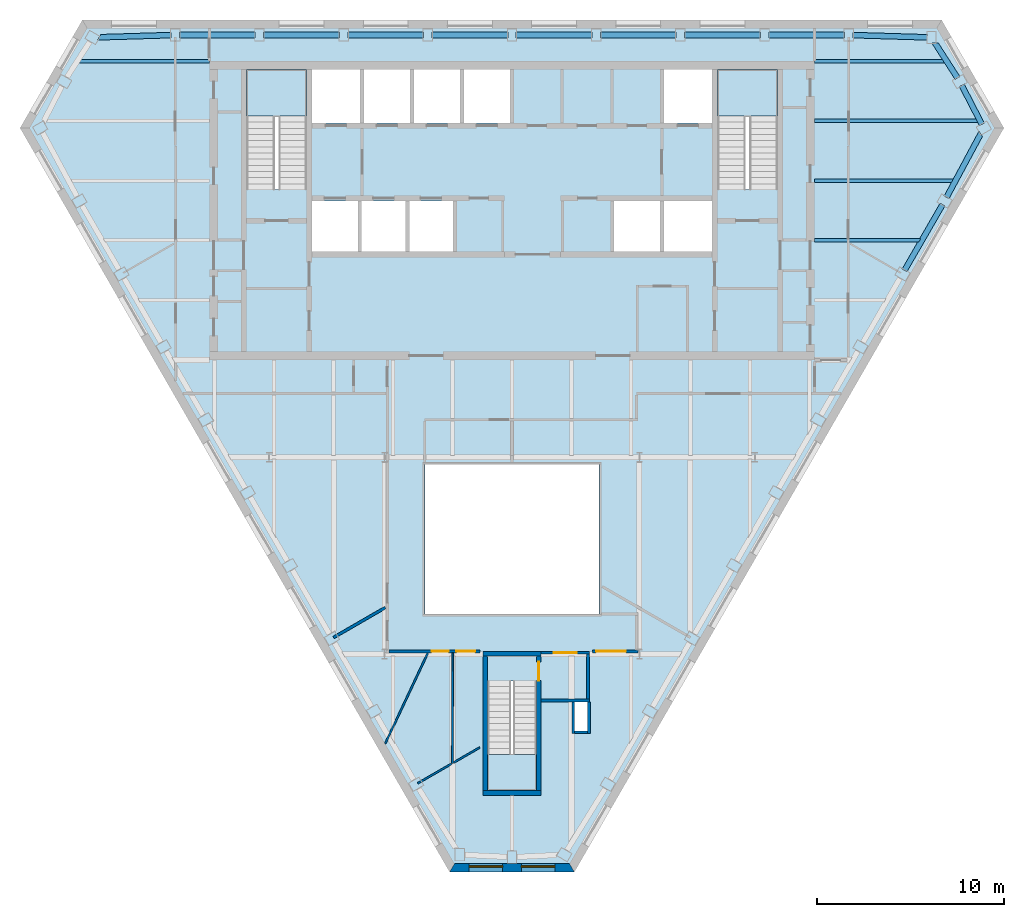
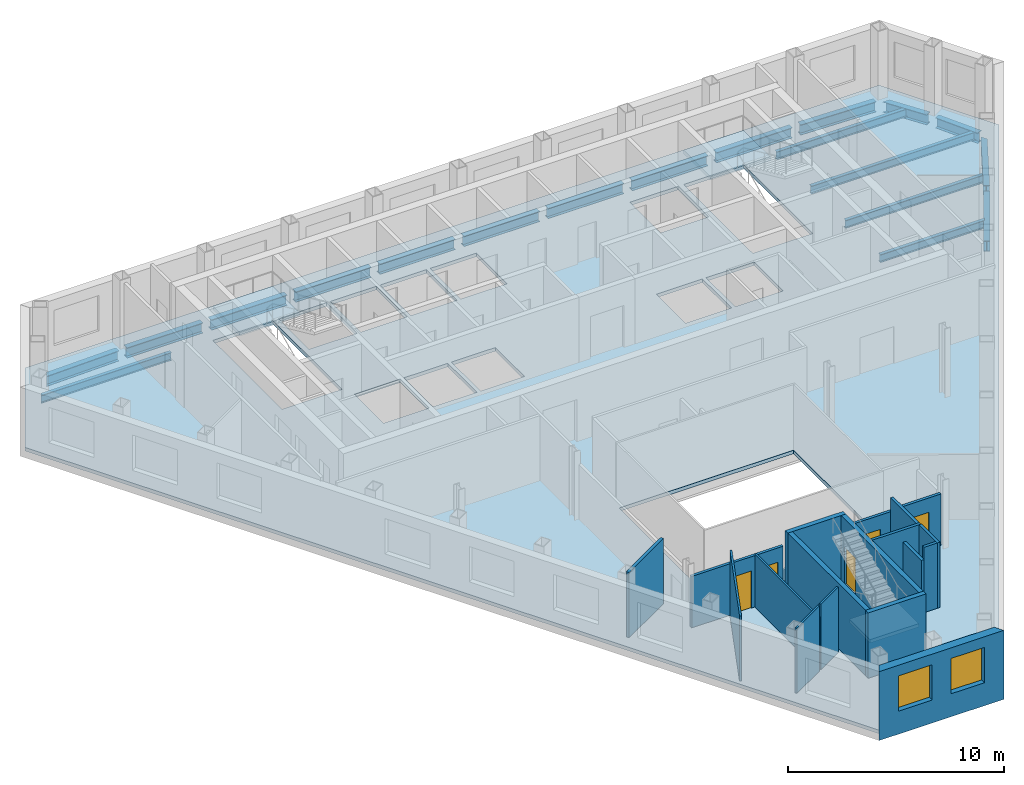
# One storey, part 3 of 10: 19 beams, 18 walls, 5 doors, 4 slabs, 2 windows, 7 openings, 3 elements without a shape of their own.
"""IFC4 building model written with IfcOpenShell, lengths in metres."""

from ifc_helpers import new_model, si_unit, direction, frame, frame_2d, origin, origin_2d, place, context, subcontext, project, spatial, polyline, rectangle, i_section, outline, extrude, clip, halfspace, material, layer, layer_set, material_profile, profile_set, type_object, element, fill, aggregate, save


model = new_model("IFC4")

# Units and contexts
model_context = context("Model", 3, precision=1e-05, world=origin(), true_north=direction((0.0, 1.0)))
body_context = subcontext(model_context, "Body", "Model", "MODEL_VIEW")
ifc_project = project(units=[si_unit("LENGTHUNIT", "METRE"), si_unit("AREAUNIT", "SQUARE_METRE"), si_unit("VOLUMEUNIT", "CUBIC_METRE"), si_unit("PLANEANGLEUNIT", "RADIAN"), si_unit("MASSUNIT", "GRAM", prefix="KILO")], contexts=[model_context])

# Site, building, storey
site_placement = place(None, origin())
site = spatial("IfcSite", under=ifc_project, at=site_placement, CompositionType="ELEMENT")
building_placement = place(site_placement, origin())
building = spatial("IfcBuilding", under=site, at=building_placement, Name="Njiva Tower", CompositionType="ELEMENT")
storey_placement = place(building_placement, frame((0.0, 0.0, 231.6)))
storey = spatial("IfcBuildingStorey", under=building, at=storey_placement, Name="L52", CompositionType="ELEMENT", Elevation=231.6)

# Beams
ifc_material_1 = material(Name="Steel S355 J2", Category="steel")
ifc_material_profile_1 = material_profile(ifc_material_1, i_section(OverallWidth=0.3, OverallDepth=0.59, WebThickness=0.013, FlangeThickness=0.025, at=origin_2d()), Name="HEA 600")
ifc_profile_set_1 = profile_set([ifc_material_profile_1], Name="Steel S355 J2")
beam_type_1 = type_object("IfcBeamType", Name="B27 Short-span spandrel beam HEA 600", PredefinedType="SPANDREL", material=ifc_profile_set_1)
beam_1_placement = place(storey_placement, frame((22.227, 19.274, -0.495), z_axis=(-0.999551509544, 0.029946281379, 0.0), x_axis=(-0.029946281379, -0.999551509544, 0.0)))
element("IfcBeam", 1, at=beam_1_placement, inside=storey, type_object=beam_type_1, Name="Short-span spandrel beam S17-B131", PredefinedType="SPANDREL", context=body_context, shape_type="SweptSolid", body=[
    extrude(i_section(OverallWidth=0.3, OverallDepth=0.59, WebThickness=0.013, FlangeThickness=0.025, at=origin_2d()), origin(), (0.0, 0.0, 1.0), 3.9738),
])
beam_2_placement = place(storey_placement, frame((17.801, 19.4, -0.495), z_axis=(-1.0, 0.0, 0.0), x_axis=(0.0, -1.0, 0.0)))
element("IfcBeam", 2, at=beam_2_placement, inside=storey, type_object=beam_type_1, Name="Short-span spandrel beam S17-B125", PredefinedType="SPANDREL", context=body_context, shape_type="SweptSolid", body=[
    extrude(i_section(OverallWidth=0.3, OverallDepth=0.59, WebThickness=0.013, FlangeThickness=0.025, at=origin_2d()), origin(), (0.0, 0.0, 1.0), 4.056),
])
beam_3_placement = place(storey_placement, frame((13.295, 19.4, -0.495), z_axis=(-1.0, 0.0, 0.0), x_axis=(0.0, -1.0, 0.0)))
element("IfcBeam", 3, at=beam_3_placement, inside=storey, type_object=beam_type_1, Name="Short-span spandrel beam S17-B120", PredefinedType="SPANDREL", context=body_context, shape_type="SweptSolid", body=[
    extrude(i_section(OverallWidth=0.3, OverallDepth=0.59, WebThickness=0.013, FlangeThickness=0.025, at=origin_2d()), origin(), (0.0, 0.0, 1.0), 4.057),
])
beam_4_placement = place(storey_placement, frame((8.788, 19.4, -0.495), z_axis=(-1.0, 0.0, 0.0), x_axis=(0.0, -1.0, 0.0)))
element("IfcBeam", 4, at=beam_4_placement, inside=storey, type_object=beam_type_1, Name="Short-span spandrel beam S17-B115", PredefinedType="SPANDREL", context=body_context, shape_type="SweptSolid", body=[
    extrude(i_section(OverallWidth=0.3, OverallDepth=0.59, WebThickness=0.013, FlangeThickness=0.025, at=origin_2d()), origin(), (0.0, 0.0, 1.0), 4.056),
])
for number, where, z_axis, x_axis, name in (
    (5, (4.282, 19.4, -0.495), (-1.0, 0.0, 0.0), (0.0, -1.0, 0.0), "Short-span spandrel beam S17-B110"),
    (6, (-0.225, 19.4, -0.495), (-1.0, 0.0, 0.0), (0.0, -1.0, 0.0), "Short-span spandrel beam S17-B107"),
):
    element("IfcBeam", number, at=place(storey_placement, frame(where, z_axis=z_axis, x_axis=x_axis)), inside=storey, type_object=beam_type_1, Name=name, PredefinedType="SPANDREL", context=body_context, shape_type="SweptSolid", body=[
        extrude(i_section(OverallWidth=0.3, OverallDepth=0.59, WebThickness=0.013, FlangeThickness=0.025, at=origin_2d()), origin(), (0.0, 0.0, 1.0), 4.057),
    ])
beam_5_placement = place(storey_placement, frame((-4.732, 19.4, -0.495), z_axis=(-1.0, 0.0, 0.0), x_axis=(0.0, -1.0, 0.0)))
element("IfcBeam", 7, at=beam_5_placement, inside=storey, type_object=beam_type_1, Name="Short-span spandrel beam S17-B102", PredefinedType="SPANDREL", context=body_context, shape_type="SweptSolid", body=[
    extrude(i_section(OverallWidth=0.3, OverallDepth=0.59, WebThickness=0.013, FlangeThickness=0.025, at=origin_2d()), origin(), (0.0, 0.0, 1.0), 4.056),
])
beam_6_placement = place(storey_placement, frame((-9.238, 19.4, -0.495), z_axis=(-1.0, 0.0, 0.0), x_axis=(0.0, -1.0, 0.0)))
element("IfcBeam", 8, at=beam_6_placement, inside=storey, type_object=beam_type_1, Name="Short-span spandrel beam S17-B097", PredefinedType="SPANDREL", context=body_context, shape_type="SweptSolid", body=[
    extrude(i_section(OverallWidth=0.3, OverallDepth=0.59, WebThickness=0.013, FlangeThickness=0.025, at=origin_2d()), origin(), (0.0, 0.0, 1.0), 4.057),
])
beam_7_placement = place(storey_placement, frame((-13.745, 19.4, -0.495), z_axis=(-1.0, 0.0, 0.0), x_axis=(0.0, -1.0, 0.0)))
element("IfcBeam", 9, at=beam_7_placement, inside=storey, type_object=beam_type_1, Name="Short-span spandrel beam S17-B092", PredefinedType="SPANDREL", context=body_context, shape_type="SweptSolid", body=[
    extrude(i_section(OverallWidth=0.3, OverallDepth=0.59, WebThickness=0.013, FlangeThickness=0.025, at=origin_2d()), origin(), (0.0, 0.0, 1.0), 4.056),
])
beam_8_placement = place(storey_placement, frame((-18.255, 19.393, -0.495), z_axis=(-0.999546168708, -0.030124020673, 0.0), x_axis=(0.030124020673, -0.999546168708, 0.0)))
element("IfcBeam", 10, at=beam_8_placement, inside=storey, type_object=beam_type_1, Name="Short-span spandrel beam S17-B086", PredefinedType="SPANDREL", context=body_context, shape_type="Clipping", body=[
    clip(extrude(i_section(OverallWidth=0.3, OverallDepth=0.59, WebThickness=0.013, FlangeThickness=0.025, at=origin_2d()), origin(), (0.0, 0.0, 1.0), 3.9637), halfspace(frame((-0.0268, 0.0, 3.834), z_axis=(-0.525859296825, 0.0, 0.850571572499), x_axis=(0.0, 1.0, 0.0)), False)),
])
beam_9_placement = place(storey_placement, frame((21.017, 6.804, -0.495), z_axis=(0.499957196903, 0.866050114754, 0.0), x_axis=(-0.866050114754, 0.499957196903, 0.0)))
element("IfcBeam", 11, at=beam_9_placement, inside=storey, type_object=beam_type_1, Name="Short-span spandrel beam S17-B136", PredefinedType="SPANDREL", context=body_context, shape_type="SweptSolid", body=[
    extrude(i_section(OverallWidth=0.3, OverallDepth=0.59, WebThickness=0.013, FlangeThickness=0.025, at=origin_2d()), origin(), (0.0, 0.0, 1.0), 4.0563),
])
beam_10_placement = place(storey_placement, frame((23.266, 10.714, -0.495), z_axis=(0.47391398721, 0.880571140071, 0.0), x_axis=(-0.880571140071, 0.47391398721, 0.0)))
element("IfcBeam", 12, at=beam_10_placement, inside=storey, type_object=beam_type_1, Name="Short-span spandrel beam S17-B140", PredefinedType="SPANDREL", context=body_context, shape_type="Clipping", body=[
    clip(extrude(i_section(OverallWidth=0.3, OverallDepth=0.59, WebThickness=0.013, FlangeThickness=0.025, at=origin_2d()), origin(), (0.0, 0.0, 1.0), 3.9639), halfspace(frame((-0.0261, 0.0, 3.8343), z_axis=(-0.525641938543, 0.0, 0.850705914194), x_axis=(0.0, 1.0, 0.0)), False)),
])
beam_11_placement = place(storey_placement, frame((25.152, 14.621, -0.495), z_axis=(-0.458795252972, 0.88854201693, 0.0), x_axis=(-0.88854201693, -0.458795252972, 0.0)))
element("IfcBeam", 13, at=beam_11_placement, inside=storey, type_object=beam_type_1, Name="Short-span spandrel beam S17-B141", PredefinedType="SPANDREL", context=body_context, shape_type="SweptSolid", body=[
    extrude(i_section(OverallWidth=0.3, OverallDepth=0.59, WebThickness=0.013, FlangeThickness=0.025, at=origin_2d()), origin(), (0.0, 0.0, 1.0), 2.3409),
])
beam_12_placement = place(storey_placement, frame((23.847, 17.102, -0.495), z_axis=(-0.540461143355, 0.841368975256, 0.0), x_axis=(-0.841368975256, -0.540461143355, 0.0)))
element("IfcBeam", 14, at=beam_12_placement, inside=storey, type_object=beam_type_1, Name="Short-span spandrel beam S17-B137", PredefinedType="SPANDREL", context=body_context, shape_type="Clipping", body=[
    clip(extrude(i_section(OverallWidth=0.3, OverallDepth=0.59, WebThickness=0.013, FlangeThickness=0.025, at=origin_2d()), origin(), (0.0, 0.0, 1.0), 2.3326), halfspace(frame((-0.027, 0.0, 2.1993), z_axis=(-0.540461143355, 0.0, 0.841368975256), x_axis=(0.0, 1.0, 0.0)), False)),
])
ifc_material_profile_2 = material_profile(ifc_material_1, i_section(OverallWidth=0.19, OverallDepth=0.45, WebThickness=0.0094, FlangeThickness=0.0146, at=origin_2d()), Name="IPE 450")
ifc_profile_set_2 = profile_set([ifc_material_profile_2], Name="Steel S355 J2")
beam_type_2 = type_object("IfcBeamType", Name="B37 Floor beam to the core IPE 450", PredefinedType="BEAM", material=ifc_profile_set_2)
beam_13_placement = place(storey_placement, frame((16.2, 8.4, -0.425), z_axis=(1.0, 0.0, 0.0), x_axis=(0.0, 1.0, 0.0)))
element("IfcBeam", 15, at=beam_13_placement, inside=storey, type_object=beam_type_2, Name="Floor beam to the core S17-B007", PredefinedType="BEAM", context=body_context, shape_type="Clipping", body=[
    clip(extrude(i_section(OverallWidth=0.19, OverallDepth=0.45, WebThickness=0.0094, FlangeThickness=0.0146, at=origin_2d()), origin(), (0.0, 0.0, 1.0), 5.698), halfspace(frame((-0.025, 0.0, 5.6086), z_axis=(-0.499998009787, 0.0, 0.866026552831), x_axis=(0.0, 1.0, 0.0)), False)),
])
beam_14_placement = place(storey_placement, frame((16.2, 11.6, -0.425), z_axis=(1.0, 0.0, 0.0), x_axis=(0.0, 1.0, 0.0)))
element("IfcBeam", 16, at=beam_14_placement, inside=storey, type_object=beam_type_2, Name="Floor beam to the core S17-B008", PredefinedType="BEAM", context=body_context, shape_type="Clipping", body=[
    clip(extrude(i_section(OverallWidth=0.19, OverallDepth=0.45, WebThickness=0.0094, FlangeThickness=0.0146, at=origin_2d()), origin(), (0.0, 0.0, 1.0), 7.501), halfspace(frame((-0.0237, 0.0, 7.4169), z_axis=(-0.47376166762, 0.0, 0.88065309986), x_axis=(0.0, 1.0, 0.0)), False)),
])
beam_15_placement = place(storey_placement, frame((16.2, 14.8, -0.425), z_axis=(1.0, 0.0, 0.0), x_axis=(0.0, 1.0, 0.0)))
element("IfcBeam", 17, at=beam_15_placement, inside=storey, type_object=beam_type_2, Name="Floor beam to the core S17-B009", PredefinedType="BEAM", context=body_context, shape_type="Clipping", body=[
    clip(extrude(i_section(OverallWidth=0.19, OverallDepth=0.45, WebThickness=0.0094, FlangeThickness=0.0146, at=origin_2d()), origin(), (0.0, 0.0, 1.0), 8.815), halfspace(frame((0.0229, 0.0, 8.7346), z_axis=(0.458330853115, 0.0, 0.888781654335), x_axis=(0.0, 1.0, 0.0)), False)),
])
beam_16_placement = place(storey_placement, frame((-23.232, 18.0, -0.425), z_axis=(1.0, 0.0, 0.0), x_axis=(0.0, 1.0, 0.0)))
element("IfcBeam", 18, at=beam_16_placement, inside=storey, type_object=beam_type_2, Name="Floor beam to the core S17-B003", PredefinedType="BEAM", context=body_context, shape_type="Clipping", body=[
    clip(extrude(i_section(OverallWidth=0.19, OverallDepth=0.45, WebThickness=0.0094, FlangeThickness=0.0146, at=origin_2d()), origin(), (0.0, 0.0, 1.0), 7.032), halfspace(frame((0.027, 0.0, 0.098), z_axis=(0.540539234056, 0.0, -0.841318807852), x_axis=(0.0, -1.0, 0.0)), False)),
])
beam_17_placement = place(storey_placement, frame((16.2, 18.0, -0.425), z_axis=(1.0, 0.0, 0.0), x_axis=(0.0, 1.0, 0.0)))
element("IfcBeam", 19, at=beam_17_placement, inside=storey, type_object=beam_type_2, Name="Floor beam to the core S17-B010", PredefinedType="BEAM", context=body_context, shape_type="Clipping", body=[
    clip(extrude(i_section(OverallWidth=0.19, OverallDepth=0.45, WebThickness=0.0094, FlangeThickness=0.0146, at=origin_2d()), origin(), (0.0, 0.0, 1.0), 7.032), halfspace(frame((0.027, 0.0, 6.934), z_axis=(0.540539234056, 0.0, 0.841318807852), x_axis=(0.0, 1.0, 0.0)), False)),
])

# Stair, slab
ifc_material_2 = material(Name="Concrete C40/50", Category="concrete")
stair_type_1 = type_object("IfcStairType", Name="ST4 Exit stair 1500", PredefinedType="HALF_TURN_STAIR", material=ifc_material_2)
stair_1_placement = place(storey_placement, origin())
stair_1 = element("IfcStair", 20, at=stair_1_placement, inside=storey, type_object=stair_type_1, Name="Stair A", PredefinedType="HALF_TURN_STAIR")
ifc_layer_1 = layer(ifc_material_2, 0.2)
ifc_layer_set_1 = layer_set([ifc_layer_1], Name="Concrete C40/50")
slab_type_1 = type_object("IfcSlabType", Name="FL9 Stair landing 200", PredefinedType="LANDING", material=ifc_layer_set_1)
slab_1_placement = place(storey_placement, frame((0.0, 0.0, 1.75)))
slab_1 = element("IfcSlab", 21, at=slab_1_placement, type_object=slab_type_1, Name="ST-A landing 1", PredefinedType="LANDING", context=body_context, shape_type="SweptSolid", body=[
    extrude(outline(polyline([(-14.206, 15.06), (-10.994, 15.06), (-10.994, 17.55), (-14.206, 17.55), (-14.206, 15.06)])), origin(), (0.0, 0.0, 1.0), 0.2),
])
aggregate(stair_1, [slab_1])

stair_2_placement = place(storey_placement, origin())
stair_2 = element("IfcStair", 22, at=stair_2_placement, inside=storey, type_object=stair_type_1, Name="Stair B", PredefinedType="HALF_TURN_STAIR")
slab_2_placement = place(storey_placement, frame((0.0, 0.0, 1.75)))
slab_2 = element("IfcSlab", 23, at=slab_2_placement, type_object=slab_type_1, Name="ST-B landing 1", PredefinedType="LANDING", context=body_context, shape_type="SweptSolid", body=[
    extrude(outline(polyline([(10.994, 15.06), (14.206, 15.06), (14.206, 17.55), (10.994, 17.55), (10.994, 15.06)])), origin(), (0.0, 0.0, 1.0), 0.2),
])
aggregate(stair_2, [slab_2])

stair_type_2 = type_object("IfcStairType", Name="ST1 Exit stair 1250", PredefinedType="HALF_TURN_STAIR", material=ifc_material_2)
stair_3_placement = place(storey_placement, origin())
stair_3 = element("IfcStair", 24, at=stair_3_placement, inside=storey, type_object=stair_type_2, Name="Stair C", PredefinedType="HALF_TURN_STAIR")
slab_3_placement = place(storey_placement, frame((0.0, 0.0, 1.75)))
slab_3 = element("IfcSlab", 25, at=slab_3_placement, type_object=slab_type_1, Name="ST-C landing 1", PredefinedType="LANDING", context=body_context, shape_type="SweptSolid", body=[
    extrude(outline(polyline([(-1.306, -21.05), (1.306, -21.05), (1.306, -19.12), (-1.306, -19.12), (-1.306, -21.05)])), origin(), (0.0, 0.0, 1.0), 0.2),
])
aggregate(stair_3, [slab_3])

# Slab
ifc_material_3 = material(Name="Concrete C30/37", Category="concrete")
ifc_layer_2 = layer(ifc_material_3, 0.2)
ifc_layer_set_2 = layer_set([ifc_layer_2], Name="Concrete C30/37")
slab_type_2 = type_object("IfcSlabType", Name="SL16 Composite floor slab 200", PredefinedType="FLOOR", material=ifc_layer_set_2)
slab_4_placement = place(storey_placement, frame((0.0, 0.0, -0.2)))
element("IfcSlab", 26, at=slab_4_placement, inside=storey, type_object=slab_type_2, Name="Floor slab L52", PredefinedType="FLOOR", context=body_context, shape_type="SweptSolid", body=[
    extrude(outline(polyline([(26.0752, 14.415), (3.2101, -25.1886), (-3.2101, -25.1886), (-26.0752, 14.415), (-22.8651, 19.975), (22.8651, 19.975), (26.0752, 14.415)]), holes=[polyline([(10.994, 11.13), (14.206, 11.13), (14.206, 17.55), (10.994, 17.55), (10.994, 11.13)]), polyline([(8.125, 14.7), (10.7, 14.7), (10.7, 17.55), (8.125, 17.55), (8.125, 14.7)]), polyline([(8.1333, 7.8), (10.7, 7.8), (10.7, 10.5), (8.1333, 10.5), (8.1333, 7.8)]), polyline([(5.4667, 7.8), (7.9333, 7.8), (7.9333, 10.5), (5.4667, 10.5), (5.4667, 7.8)]), polyline([(4.67, -11.6), (4.67, -3.6), (-4.67, -3.6), (-4.67, -11.6), (4.67, -11.6)]), polyline([(3.35, -17.85), (4.05, -17.85), (4.05, -16.3), (3.35, -16.3), (3.35, -17.85)]), polyline([(-1.306, -21.05), (1.306, -21.05), (1.306, -15.19), (-1.306, -15.19), (-1.306, -21.05)]), polyline([(-2.575, 14.7), (-0.1, 14.7), (-0.1, 17.55), (-2.575, 17.55), (-2.575, 14.7)]), polyline([(-5.25, 14.7), (-2.775, 14.7), (-2.775, 17.55), (-5.25, 17.55), (-5.25, 14.7)]), polyline([(-5.5, 7.8), (-3.15, 7.8), (-3.15, 10.5), (-5.5, 10.5), (-5.5, 7.8)]), polyline([(-7.925, 14.7), (-5.45, 14.7), (-5.45, 17.55), (-7.925, 17.55), (-7.925, 14.7)]), polyline([(-8.05, 7.8), (-5.7, 7.8), (-5.7, 10.5), (-8.05, 10.5), (-8.05, 7.8)]), polyline([(-10.7, 14.7), (-8.125, 14.7), (-8.125, 17.55), (-10.7, 17.55), (-10.7, 14.7)]), polyline([(-8.25, 7.8), (-8.25, 10.5), (-10.7, 10.5), (-10.7, 7.8), (-8.25, 7.8)]), polyline([(-14.206, 11.13), (-10.994, 11.13), (-10.994, 17.55), (-14.206, 17.55), (-14.206, 11.13)])]), origin(), (0.0, 0.0, 1.0), 0.2),
])

# Walls
ifc_material_4 = material(Name="Gypsum board on steel studs", Category="gypsum")
ifc_layer_3 = layer(ifc_material_4, 0.1)
ifc_layer_set_3 = layer_set([ifc_layer_3], Name="Gypsum board on steel studs")
wall_type_1 = type_object("IfcWallType", Name="WT20 Gypsum partition 100", PredefinedType="PARTITIONING", material=ifc_layer_set_3)
wall_1_placement = place(storey_placement, frame((-6.789, -18.539, 0.0), z_axis=(0.0, 0.0, 1.0), x_axis=(0.425635061069, 0.904894908146, 0.0)))
element("IfcWall", 27, at=wall_1_placement, inside=storey, type_object=wall_type_1, Name="Partition S17-P008", PredefinedType="PARTITIONING", context=body_context, shape_type="SweptSolid", body=[
    extrude(rectangle(XDim=5.352, YDim=0.1, at=frame_2d((2.676, 0.0))), origin(), (0.0, 0.0, 1.0), 3.7),
])
wall_2_placement = place(storey_placement, frame((-5.045, -20.66, 0.0), z_axis=(0.0, 0.0, 1.0), x_axis=(0.866002828817, 0.500039098953, 0.0)))
element("IfcWall", 28, at=wall_2_placement, inside=storey, type_object=wall_type_1, Name="Partition S17-P011", PredefinedType="PARTITIONING", context=body_context, shape_type="SweptSolid", body=[
    extrude(rectangle(XDim=2.0958, YDim=0.1, at=frame_2d((1.0479, 0.0))), origin(), (0.0, 0.0, 1.0), 3.7),
])
wall_3_placement = place(storey_placement, frame((-3.192, -19.591, 0.0), z_axis=(0.0, 0.0, 1.0), x_axis=(0.003380643291, 0.999994285609, 0.0)))
element("IfcWall", 29, at=wall_3_placement, inside=storey, type_object=wall_type_1, Name="Partition S17-P014", PredefinedType="PARTITIONING", context=body_context, shape_type="SweptSolid", body=[
    extrude(rectangle(XDim=5.916, YDim=0.1, at=frame_2d((2.958, 0.0))), origin(), (0.0, 0.0, 1.0), 3.01),
])
wall_4_placement = place(storey_placement, frame((-3.117, -19.547, 0.0), z_axis=(0.0, 0.0, 1.0), x_axis=(0.865936922628, 0.500153222552, 0.0)))
element("IfcWall", 30, at=wall_4_placement, inside=storey, type_object=wall_type_1, Name="Partition S17-P015", PredefinedType="PARTITIONING", context=body_context, shape_type="SweptSolid", body=[
    extrude(rectangle(XDim=1.6075, YDim=0.1, at=frame_2d((0.8038, 0.0))), origin(), (0.0, 0.0, 1.0), 3.7),
])
ifc_layer_4 = layer(ifc_material_4, 0.15)
ifc_layer_set_4 = layer_set([ifc_layer_4], Name="Gypsum board on steel studs")
wall_type_2 = type_object("IfcWallType", Name="WT21 Compartment wall 150", PredefinedType="PARTITIONING", material=ifc_layer_set_4)
wall_5_placement = place(storey_placement, frame((-9.552, -12.854, 0.0), z_axis=(0.0, 0.0, 1.0), x_axis=(0.865847012661, 0.500308855275, 0.0)))
element("IfcWall", 31, at=wall_5_placement, inside=storey, type_object=wall_type_2, Name="Partition S17-P006", PredefinedType="PARTITIONING", context=body_context, shape_type="SweptSolid", body=[
    extrude(rectangle(XDim=3.198, YDim=0.15, at=frame_2d((1.599, 0.0))), origin(), (0.0, 0.0, 1.0), 3.7),
])

# Wall, openings, doors
wall_6_placement = place(storey_placement, frame((-6.595, -13.6, 0.0), z_axis=(0.0, 0.0, 1.0), x_axis=(1.0, 0.0, 0.0)))
wall_6 = element("IfcWall", 32, at=wall_6_placement, inside=storey, type_object=wall_type_2, Name="Partition S17-P010", PredefinedType="PARTITIONING", context=body_context, shape_type="SweptSolid", body=[
    extrude(rectangle(XDim=4.895, YDim=0.15, at=frame_2d((2.4475, 0.0))), origin(), (0.0, 0.0, 1.0), 2.91),
])
opening_1_placement = place(wall_6_placement, frame((2.297, 0.0, 0.0)))
opening_1 = element("IfcOpeningElement", 33, at=opening_1_placement, cuts=wall_6, Name="Opening S17-D009", PredefinedType="OPENING", context=body_context, shape_type="SweptSolid", body=[
    extrude(rectangle(XDim=0.9, YDim=2.1, at=frame_2d((0.45, 1.05))), frame((0.0, 0.085, 0.0), z_axis=(0.0, -1.0, 0.0), x_axis=(1.0, 0.0, 0.0)), (0.0, 0.0, 1.0), 0.17),
])
opening_2_placement = place(wall_6_placement, frame((3.623, 0.0, 0.0)))
opening_2 = element("IfcOpeningElement", 34, at=opening_2_placement, cuts=wall_6, Name="Opening S17-D010", PredefinedType="OPENING", context=body_context, shape_type="SweptSolid", body=[
    extrude(rectangle(XDim=1.0, YDim=2.1, at=frame_2d((0.5, 1.05))), frame((0.0, 0.085, 0.0), z_axis=(0.0, -1.0, 0.0), x_axis=(1.0, 0.0, 0.0)), (0.0, 0.0, 1.0), 0.17),
])
ifc_material_5 = material(Name="Steel fire door set", Category="steel")
door_type_1 = type_object("IfcDoorType", Name="D36 Fire door 900x2100", OperationType="SINGLE_SWING_LEFT", PredefinedType="DOOR", material=ifc_material_5)
door_1_placement = place(opening_1_placement, origin())
door_1 = element("IfcDoor", 35, at=door_1_placement, inside=storey, type_object=door_type_1, Name="Door S17-D009", OperationType="SINGLE_SWING_RIGHT", OverallHeight=2.1, OverallWidth=0.9, PredefinedType="DOOR", context=body_context, shape_type="SweptSolid", body=[
    extrude(rectangle(XDim=0.9, YDim=2.1, at=frame_2d((0.45, 1.05))), frame((0.0, 0.025, 0.0), z_axis=(0.0, -1.0, 0.0), x_axis=(1.0, 0.0, 0.0)), (0.0, 0.0, 1.0), 0.05),
])
fill(opening_1, door_1)
door_type_2 = type_object("IfcDoorType", Name="D37 Fire door 1000x2100", OperationType="SINGLE_SWING_LEFT", PredefinedType="DOOR", material=ifc_material_5)
door_2_placement = place(opening_2_placement, origin())
door_2 = element("IfcDoor", 36, at=door_2_placement, inside=storey, type_object=door_type_2, Name="Door S17-D010", OperationType="SINGLE_SWING_RIGHT", OverallHeight=2.1, OverallWidth=1.0, PredefinedType="DOOR", context=body_context, shape_type="SweptSolid", body=[
    extrude(rectangle(XDim=1.0, YDim=2.1, at=frame_2d((0.5, 1.05))), frame((0.0, 0.025, 0.0), z_axis=(0.0, -1.0, 0.0), x_axis=(1.0, 0.0, 0.0)), (0.0, 0.0, 1.0), 0.05),
])
fill(opening_2, door_2)

# Wall, opening, door
wall_7_placement = place(storey_placement, frame((4.3, -13.6, 0.0), z_axis=(0.0, 0.0, 1.0), x_axis=(1.0, 0.0, 0.0)))
wall_7 = element("IfcWall", 37, at=wall_7_placement, inside=storey, type_object=wall_type_2, Name="Partition S17-P017", PredefinedType="PARTITIONING", context=body_context, shape_type="SweptSolid", body=[
    extrude(rectangle(XDim=2.445, YDim=0.15, at=frame_2d((1.2225, 0.0))), origin(), (0.0, 0.0, 1.0), 2.91),
])
opening_3_placement = place(wall_7_placement, frame((0.2, 0.0, 0.0)))
opening_3 = element("IfcOpeningElement", 38, at=opening_3_placement, cuts=wall_7, Name="Opening S17-D012", PredefinedType="OPENING", context=body_context, shape_type="SweptSolid", body=[
    extrude(rectangle(XDim=1.6, YDim=2.1, at=frame_2d((0.8, 1.05))), frame((0.0, 0.085, 0.0), z_axis=(0.0, -1.0, 0.0), x_axis=(1.0, 0.0, 0.0)), (0.0, 0.0, 1.0), 0.17),
])
door_type_3 = type_object("IfcDoorType", Name="D43 Fire door 1600x2100", OperationType="DOUBLE_DOOR_SINGLE_SWING", PredefinedType="DOOR", material=ifc_material_5)
door_3_placement = place(opening_3_placement, origin())
door_3 = element("IfcDoor", 39, at=door_3_placement, inside=storey, type_object=door_type_3, Name="Door S17-D012", OperationType="DOUBLE_DOOR_SINGLE_SWING", OverallHeight=2.1, OverallWidth=1.6, PredefinedType="DOOR", context=body_context, shape_type="SweptSolid", body=[
    extrude(rectangle(XDim=1.6, YDim=2.1, at=frame_2d((0.8, 1.05))), frame((0.0, 0.025, 0.0), z_axis=(0.0, -1.0, 0.0), x_axis=(1.0, 0.0, 0.0)), (0.0, 0.0, 1.0), 0.05),
])
fill(opening_3, door_3)

# Walls
ifc_material_6 = material(Name="Blockwork", Category="masonry")
ifc_layer_5 = layer(ifc_material_6, 0.15)
ifc_layer_set_5 = layer_set([ifc_layer_5], Name="Blockwork")
wall_type_3 = type_object("IfcWallType", Name="WT4 Stair partition 150", PredefinedType="PARTITIONING", material=ifc_layer_set_5)
wall_8_placement = place(storey_placement, frame((1.55, -16.225, 0.0), z_axis=(0.0, 0.0, 1.0), x_axis=(1.0, 0.0, 0.0)))
element("IfcWall", 40, at=wall_8_placement, inside=storey, type_object=wall_type_3, Name="Stair C vestibule wall south", PredefinedType="PARTITIONING", context=body_context, shape_type="SweptSolid", body=[
    extrude(rectangle(XDim=2.6, YDim=0.15, at=frame_2d((1.3, 0.0))), origin(), (0.0, 0.0, 1.0), 3.7),
])
wall_9_placement = place(storey_placement, frame((4.075, -16.15, 0.0), z_axis=(0.0, 0.0, 1.0), x_axis=(0.0, 1.0, 0.0)))
element("IfcWall", 41, at=wall_9_placement, inside=storey, type_object=wall_type_3, Name="Stair C vestibule wall east", PredefinedType="PARTITIONING", context=body_context, shape_type="SweptSolid", body=[
    extrude(rectangle(XDim=2.4, YDim=0.15, at=frame_2d((1.2, 0.0))), origin(), (0.0, 0.0, 1.0), 3.7),
])

# Wall, opening, door
wall_10_placement = place(storey_placement, frame((1.55, -13.675, 0.0), z_axis=(0.0, 0.0, 1.0), x_axis=(1.0, 0.0, 0.0)))
wall_10 = element("IfcWall", 42, at=wall_10_placement, inside=storey, type_object=wall_type_3, Name="Stair C vestibule wall north", PredefinedType="PARTITIONING", context=body_context, shape_type="SweptSolid", body=[
    extrude(rectangle(XDim=2.6, YDim=0.15, at=frame_2d((1.3, 0.0))), origin(), (0.0, 0.0, 1.0), 2.91),
])
opening_4_placement = place(wall_10_placement, frame((0.675, 0.0, 0.0)))
opening_4 = element("IfcOpeningElement", 43, at=opening_4_placement, cuts=wall_10, Name="Opening S17-D939", PredefinedType="OPENING", context=body_context, shape_type="SweptSolid", body=[
    extrude(rectangle(XDim=1.25, YDim=2.1, at=frame_2d((0.625, 1.05))), frame((0.0, 0.085, 0.0), z_axis=(0.0, -1.0, 0.0), x_axis=(1.0, 0.0, 0.0)), (0.0, 0.0, 1.0), 0.17),
])
ifc_material_7 = material(Name="Glazed steel fire door", Category="steel")
door_type_4 = type_object("IfcDoorType", Name="D8 Vestibule corridor door 1250x2100 glazed", OperationType="SINGLE_SWING_LEFT", PredefinedType="DOOR", material=ifc_material_7)
door_4_placement = place(opening_4_placement, origin())
door_4 = element("IfcDoor", 44, at=door_4_placement, inside=storey, type_object=door_type_4, Name="Stair vestibule corridor door", OperationType="SINGLE_SWING_RIGHT", OverallHeight=2.1, OverallWidth=1.25, PredefinedType="DOOR", context=body_context, shape_type="SweptSolid", body=[
    extrude(rectangle(XDim=1.25, YDim=2.1, at=frame_2d((0.625, 1.05))), frame((0.0, 0.025, 0.0), z_axis=(0.0, -1.0, 0.0), x_axis=(1.0, 0.0, 0.0)), (0.0, 0.0, 1.0), 0.05),
])
fill(opening_4, door_4)

# Walls
wall_11_placement = place(storey_placement, frame((3.275, -18.0, 0.0), z_axis=(0.0, 0.0, 1.0), x_axis=(0.0, 1.0, 0.0)))
element("IfcWall", 45, at=wall_11_placement, inside=storey, type_object=wall_type_3, Name="Stair C pressurisation shaft wall", PredefinedType="PARTITIONING", context=body_context, shape_type="SweptSolid", body=[
    extrude(rectangle(XDim=1.7, YDim=0.15, at=frame_2d((0.85, 0.0))), origin(), (0.0, 0.0, 1.0), 3.01),
])
wall_12_placement = place(storey_placement, frame((3.35, -17.925, 0.0), z_axis=(0.0, 0.0, 1.0), x_axis=(1.0, 0.0, 0.0)))
element("IfcWall", 46, at=wall_12_placement, inside=storey, type_object=wall_type_3, Name="Stair C pressurisation shaft wall", PredefinedType="PARTITIONING", context=body_context, shape_type="SweptSolid", body=[
    extrude(rectangle(XDim=0.7, YDim=0.15, at=frame_2d((0.35, 0.0))), origin(), (0.0, 0.0, 1.0), 3.7),
])
wall_13_placement = place(storey_placement, frame((4.125, -18.0, 0.0), z_axis=(0.0, 0.0, 1.0), x_axis=(0.0, 1.0, 0.0)))
element("IfcWall", 47, at=wall_13_placement, inside=storey, type_object=wall_type_3, Name="Stair C pressurisation shaft wall", PredefinedType="PARTITIONING", context=body_context, shape_type="SweptSolid", body=[
    extrude(rectangle(XDim=1.7, YDim=0.15, at=frame_2d((0.85, 0.0))), origin(), (0.0, 0.0, 1.0), 3.7),
])
ifc_layer_6 = layer(ifc_material_2, 0.25)
ifc_layer_set_6 = layer_set([ifc_layer_6], Name="Concrete C40/50")
wall_type_4 = type_object("IfcWallType", Name="WT9 Stair enclosure wall 250", PredefinedType="SHEAR", material=ifc_layer_set_6)
wall_14_placement = place(storey_placement, frame((-1.425, -21.05, 0.0), z_axis=(0.0, 0.0, 1.0), x_axis=(0.0, 1.0, 0.0)))
element("IfcWall", 48, at=wall_14_placement, inside=storey, type_object=wall_type_4, Name="Stair C wall west", PredefinedType="SHEAR", context=body_context, shape_type="SweptSolid", body=[
    extrude(rectangle(XDim=7.2, YDim=0.25, at=frame_2d((3.6, 0.0))), origin(), (0.0, 0.0, 1.0), 3.7),
])

# Wall, opening, door
wall_15_placement = place(storey_placement, frame((1.425, -21.05, 0.0), z_axis=(0.0, 0.0, 1.0), x_axis=(0.0, 1.0, 0.0)))
wall_15 = element("IfcWall", 49, at=wall_15_placement, inside=storey, type_object=wall_type_4, Name="Stair C wall east", PredefinedType="SHEAR", context=body_context, shape_type="SweptSolid", body=[
    extrude(rectangle(XDim=7.2, YDim=0.25, at=frame_2d((3.6, 0.0))), origin(), (0.0, 0.0, 1.0), 3.7),
])
opening_5_placement = place(wall_15_placement, frame((5.89, 0.0, 0.0)))
opening_5 = element("IfcOpeningElement", 50, at=opening_5_placement, cuts=wall_15, Name="Opening S17-D938", PredefinedType="OPENING", context=body_context, shape_type="SweptSolid", body=[
    extrude(rectangle(XDim=1.0, YDim=2.1, at=frame_2d((0.5, 1.05))), frame((0.0, 0.135, 0.0), z_axis=(0.0, -1.0, 0.0), x_axis=(1.0, 0.0, 0.0)), (0.0, 0.0, 1.0), 0.27),
])
door_type_5 = type_object("IfcDoorType", Name="D9 Stair vestibule door 1000x2100 glazed", OperationType="SINGLE_SWING_LEFT", PredefinedType="DOOR", material=ifc_material_7)
door_5_placement = place(opening_5_placement, origin())
door_5 = element("IfcDoor", 51, at=door_5_placement, inside=storey, type_object=door_type_5, Name="Stair C door", OperationType="SINGLE_SWING_LEFT", OverallHeight=2.1, OverallWidth=1.0, PredefinedType="DOOR", context=body_context, shape_type="SweptSolid", body=[
    extrude(rectangle(XDim=1.0, YDim=2.1, at=frame_2d((0.5, 1.05))), frame((0.0, 0.025, 0.0), z_axis=(0.0, -1.0, 0.0), x_axis=(1.0, 0.0, 0.0)), (0.0, 0.0, 1.0), 0.05),
])
fill(opening_5, door_5)

# Walls
for number, where, z_axis, x_axis, name in (
    (52, (-1.55, -21.175, 0.0), (0.0, 0.0, 1.0), (1.0, 0.0, 0.0), "Stair C wall south"),
    (53, (-1.55, -13.725, 0.0), (0.0, 0.0, 1.0), (1.0, 0.0, 0.0), "Stair C wall north"),
):
    element("IfcWall", number, at=place(storey_placement, frame(where, z_axis=z_axis, x_axis=x_axis)), inside=storey, type_object=wall_type_4, Name=name, PredefinedType="SHEAR", context=body_context, shape_type="SweptSolid", body=[
        extrude(rectangle(XDim=3.1, YDim=0.25, at=frame_2d((1.55, 0.0))), origin(), (0.0, 0.0, 1.0), 3.7),
    ])

# Wall, openings, windows
ifc_material_8 = material(Name="Brick masonry, buff", Category="masonry")
ifc_layer_7 = layer(ifc_material_8, 0.45)
ifc_layer_set_7 = layer_set([ifc_layer_7], Name="Brick masonry, buff")
wall_type_5 = type_object("IfcWallType", Name="WT94 Brick pier and spandrel wall 450, buff", PredefinedType="SOLIDWALL", material=ifc_layer_set_7)
wall_16_placement = place(storey_placement, frame((-3.2101, -25.1886, -0.4), z_axis=(0.0, 0.0, 1.0), x_axis=(1.0, 0.0, 0.0)))
wall_16 = element("IfcWall", 54, at=wall_16_placement, inside=storey, type_object=wall_type_5, Name="Facade wall S", PredefinedType="SOLIDWALL", context=body_context, shape_type="SweptSolid", body=[
    extrude(outline(polyline([(-0.1299, -0.225), (6.5501, -0.225), (6.2903, 0.225), (0.1299, 0.225), (-0.1299, -0.225)])), origin(), (0.0, 0.0, 1.0), 3.9),
])
opening_6_placement = place(wall_16_placement, frame((0.9094, 0.0, 1.3)))
opening_6 = element("IfcOpeningElement", 55, at=opening_6_placement, cuts=wall_16, Name="Opening S17-W19", PredefinedType="OPENING", context=body_context, shape_type="SweptSolid", body=[
    extrude(rectangle(XDim=1.8, YDim=2.0, at=frame_2d((0.9, 1.0))), frame((0.0, 0.235, 0.0), z_axis=(0.0, -1.0, 0.0), x_axis=(1.0, 0.0, 0.0)), (0.0, 0.0, 1.0), 0.47),
])
opening_7_placement = place(wall_16_placement, frame((3.7107, 0.0, 1.3)))
opening_7 = element("IfcOpeningElement", 56, at=opening_7_placement, cuts=wall_16, Name="Opening S17-W20", PredefinedType="OPENING", context=body_context, shape_type="SweptSolid", body=[
    extrude(rectangle(XDim=1.8, YDim=2.0, at=frame_2d((0.9, 1.0))), frame((0.0, 0.235, 0.0), z_axis=(0.0, -1.0, 0.0), x_axis=(1.0, 0.0, 0.0)), (0.0, 0.0, 1.0), 0.47),
])
ifc_material_9 = material(Name="Clear glazing in aluminium frame", Category="aluminium")
window_type = type_object("IfcWindowType", Name="W94 Deep-set window 1800x2000", PartitioningType="SINGLE_PANEL", PredefinedType="WINDOW", material=ifc_material_9)
window_1_placement = place(opening_6_placement, origin())
window_1 = element("IfcWindow", 57, at=window_1_placement, inside=storey, type_object=window_type, Name="Window", OverallHeight=2.0, OverallWidth=1.8, PartitioningType="SINGLE_PANEL", PredefinedType="WINDOW", context=body_context, shape_type="SweptSolid", body=[
    extrude(rectangle(XDim=1.8, YDim=2.0, at=frame_2d((0.9, 1.0))), frame((0.0, 0.105, 0.0), z_axis=(0.0, -1.0, 0.0), x_axis=(1.0, 0.0, 0.0)), (0.0, 0.0, 1.0), 0.06),
])
fill(opening_6, window_1)
window_2_placement = place(opening_7_placement, origin())
window_2 = element("IfcWindow", 58, at=window_2_placement, inside=storey, type_object=window_type, Name="Window", OverallHeight=2.0, OverallWidth=1.8, PartitioningType="SINGLE_PANEL", PredefinedType="WINDOW", context=body_context, shape_type="SweptSolid", body=[
    extrude(rectangle(XDim=1.8, YDim=2.0, at=frame_2d((0.9, 1.0))), frame((0.0, 0.105, 0.0), z_axis=(0.0, -1.0, 0.0), x_axis=(1.0, 0.0, 0.0)), (0.0, 0.0, 1.0), 0.06),
])
fill(opening_7, window_2)

save(model, "model.ifc")
